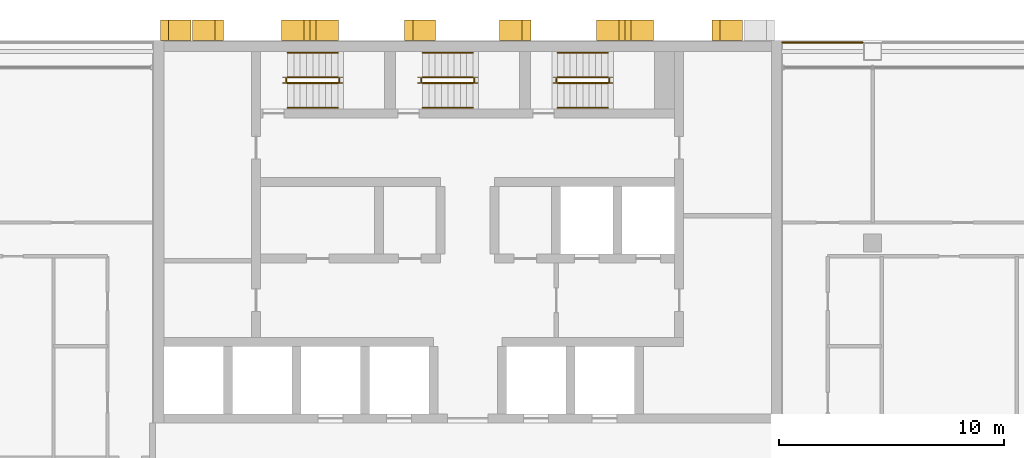
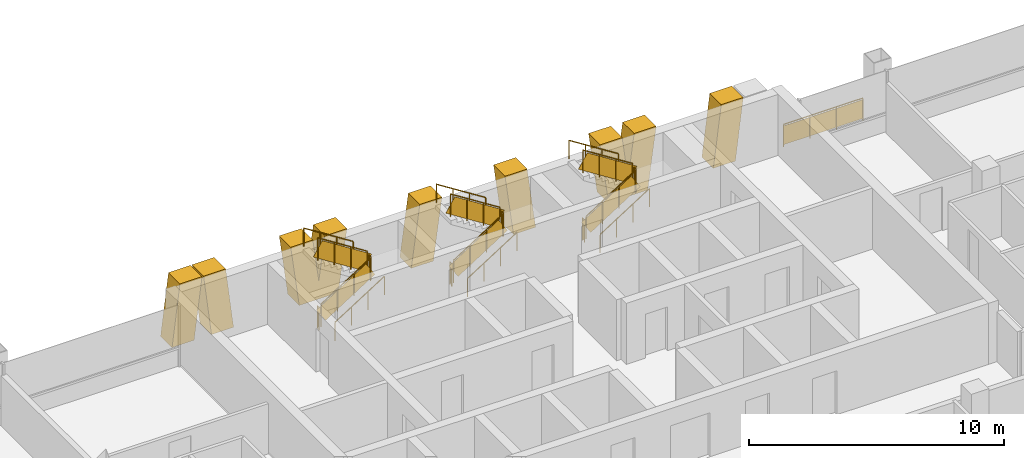
# One storey, part 17 of 18: 19 railings, 7 shading devices.
"""IFC4 building model written with IfcOpenShell, lengths in metres."""

from ifc_helpers import new_model, si_unit, direction, frame, origin, origin_2d, place, context, subcontext, project, spatial, polyline, rectangle, circle, outline, extrude, material, layer, layer_set, type_object, element, save


model = new_model("IFC4")

# Units and contexts
model_context = context("Model", 3, precision=1e-05, world=origin(), true_north=direction((0.0, 1.0)))
body_context = subcontext(model_context, "Body", "Model", "MODEL_VIEW")
ifc_project = project(units=[si_unit("LENGTHUNIT", "METRE"), si_unit("AREAUNIT", "SQUARE_METRE"), si_unit("VOLUMEUNIT", "CUBIC_METRE"), si_unit("PLANEANGLEUNIT", "RADIAN"), si_unit("MASSUNIT", "GRAM", prefix="KILO")], contexts=[model_context])

# Site, building, storey
site_placement = place(None, origin())
site = spatial("IfcSite", under=ifc_project, at=site_placement, CompositionType="ELEMENT")
building_placement = place(site_placement, origin())
building = spatial("IfcBuilding", under=site, at=building_placement, Name="Vidyagriha Tower", CompositionType="ELEMENT")
storey_placement = place(building_placement, frame((0.0, 0.0, 123.0)))
storey = spatial("IfcBuildingStorey", under=building, at=storey_placement, Name="L31", CompositionType="ELEMENT", Elevation=123.0)

# Shading devices
ifc_material_1 = material(Name="Precast concrete C40/50 with brick facing", Category="concrete")
ifc_layer_1 = layer(ifc_material_1, 1.0)
ifc_layer_set_1 = layer_set([ifc_layer_1], Name="Precast concrete C40/50 with brick facing")
shading_device_type_1 = type_object("IfcShadingDeviceType", Name="Brick-faced rear rib arm leaning 8 degrees", PredefinedType="USERDEFINED", material=ifc_layer_set_1)
shading_device_1_placement = place(storey_placement, frame((12.21435546875, 20.449951171875, 0.0), z_axis=(0.0, 0.0, 1.0), x_axis=(-1.0, 0.0, 0.0)))
element("IfcShadingDevice", 1, at=shading_device_1_placement, inside=storey, type_object=shading_device_type_1, Name="Rear rib arm L31 R08.1b", ObjectType="BLADE FIN", PredefinedType="USERDEFINED", context=body_context, shape_type="SweptSolid", body=[
    extrude(outline(polyline([(0.357177734375, 0.0), (1.357177734375, 0.0), (1.0, 2.919921875), (0.0, 2.919921875), (0.357177734375, 0.0)])), frame((0.0, 0.449951171875, 0.0), z_axis=(0.0, -1.0, 0.0), x_axis=(1.0, 0.0, 0.0)), (0.0, 0.0, 1.0), 0.89990234375),
])
shading_device_2_placement = place(storey_placement, frame((2.814208984375, 20.449951171875, 0.0), z_axis=(0.0, 0.0, 1.0), x_axis=(-1.0, 0.0, 0.0)))
element("IfcShadingDevice", 2, at=shading_device_2_placement, inside=storey, type_object=shading_device_type_1, Name="Rear rib arm L31 R08.3a", ObjectType="BLADE FIN", PredefinedType="USERDEFINED", context=body_context, shape_type="SweptSolid", body=[
    extrude(outline(polyline([(0.0, 0.0), (1.0, 0.0), (1.3857421875, 2.919921875), (0.3857421875, 2.919921875), (0.0, 0.0)])), frame((0.0, 0.449951171875, 0.0), z_axis=(0.0, -1.0, 0.0), x_axis=(1.0, 0.0, 0.0)), (0.0, 0.0, 1.0), 0.89990234375),
])
shading_device_3_placement = place(storey_placement, frame((-1.4287109375, 20.449951171875, 0.0), z_axis=(0.0, 0.0, 1.0), x_axis=(-1.0, 0.0, 0.0)))
element("IfcShadingDevice", 3, at=shading_device_3_placement, inside=storey, type_object=shading_device_type_1, Name="Rear rib arm L31 R08.3b", ObjectType="BLADE FIN", PredefinedType="USERDEFINED", context=body_context, shape_type="SweptSolid", body=[
    extrude(outline(polyline([(0.3857421875, 0.0), (1.3857421875, 0.0), (1.0, 2.919921875), (0.0, 2.919921875), (0.3857421875, 0.0)])), frame((0.0, 0.449951171875, 0.0), z_axis=(0.0, -1.0, 0.0), x_axis=(1.0, 0.0, 0.0)), (0.0, 0.0, 1.0), 0.89990234375),
])
shading_device_4_placement = place(storey_placement, frame((-10.857177734375, 20.449951171875, 0.0), z_axis=(0.0, 0.0, 1.0), x_axis=(-1.0, 0.0, 0.0)))
element("IfcShadingDevice", 4, at=shading_device_4_placement, inside=storey, type_object=shading_device_type_1, Name="Rear rib arm L31 R08.5a", ObjectType="BLADE FIN", PredefinedType="USERDEFINED", context=body_context, shape_type="SweptSolid", body=[
    extrude(outline(polyline([(0.0, 0.0), (1.0, 0.0), (1.357177734375, 2.919921875), (0.357177734375, 2.919921875), (0.0, 0.0)])), frame((0.0, 0.449951171875, 0.0), z_axis=(0.0, -1.0, 0.0), x_axis=(1.0, 0.0, 0.0)), (0.0, 0.0, 1.0), 0.89990234375),
])
shading_device_5_placement = place(storey_placement, frame((-12.28564453125, 20.449951171875, 0.0), z_axis=(0.0, 0.0, 1.0), x_axis=(-1.0, 0.0, 0.0)))
element("IfcShadingDevice", 5, at=shading_device_5_placement, inside=storey, type_object=shading_device_type_1, Name="Rear rib arm L31 R08.5b", ObjectType="BLADE FIN", PredefinedType="USERDEFINED", context=body_context, shape_type="SweptSolid", body=[
    extrude(outline(polyline([(0.357177734375, 0.0), (1.357177734375, 0.0), (1.0, 2.919921875), (0.0, 2.919921875), (0.357177734375, 0.0)])), frame((0.0, 0.449951171875, 0.0), z_axis=(0.0, -1.0, 0.0), x_axis=(1.0, 0.0, 0.0)), (0.0, 0.0, 1.0), 0.89990234375),
])
ifc_material_2 = material(Name="Precast concrete C40/50 with brick facing", Category="concrete")
ifc_layer_2 = layer(ifc_material_2, 1.0)
ifc_layer_set_2 = layer_set([ifc_layer_2], Name="Precast concrete C40/50 with brick facing")
shading_device_type_2 = type_object("IfcShadingDeviceType", Name="Brick-faced rear rib forking 8 degrees", PredefinedType="USERDEFINED", material=ifc_layer_set_2)
for number, where, z_axis, x_axis, name in (
    (6, (8.271484375, 20.449951171875, 0.0), (0.0, 0.0, 1.0), (-1.0, 0.0, 0.0), "Rear rib fork L31 R08.2a"),
    (7, (-5.728515625, 20.449951171875, 0.0), (0.0, 0.0, 1.0), (-1.0, 0.0, 0.0), "Rear rib fork L31 R08.4a"),
):
    element("IfcShadingDevice", number, at=place(storey_placement, frame(where, z_axis=z_axis, x_axis=x_axis)), inside=storey, type_object=shading_device_type_2, Name=name, ObjectType="BLADE FIN", PredefinedType="USERDEFINED", context=body_context, shape_type="SweptSolid", body=[
        extrude(outline(polyline([(0.3857421875, 0.0), (2.156982421875, 0.0), (2.542724609375, 2.919921875), (1.542724609375, 2.919921875), (1.271484375, 0.865234375), (1.0, 2.919921875), (0.0, 2.919921875), (0.3857421875, 0.0)])), frame((0.0, 0.449951171875, 0.0), z_axis=(0.0, -1.0, 0.0), x_axis=(1.0, 0.0, 0.0)), (0.0, 0.0, 1.0), 0.89990234375),
    ])

# Railings
ifc_material_3 = material(Name="Steel ASTM A500 Grade C black painted", Category="steel")
railing_type_1 = type_object("IfcRailingType", Name="Gallery guard 1100", PredefinedType="GUARDRAIL", material=ifc_material_3)
railing_1_placement = place(storey_placement, frame((13.97998046875, 19.89990234375, 0.0)))
element("IfcRailing", 8, at=railing_1_placement, inside=storey, type_object=railing_type_1, Name="Gallery guard L31 9", PredefinedType="GUARDRAIL", context=body_context, shape_type="SweptSolid", body=[
    extrude(circle(Radius=0.02490234375, at=origin_2d()), frame((0.0, 0.0, 1.0751953125), z_axis=(1.0, 0.0, 0.0), x_axis=(0.0, 1.0, 0.0)), (0.0, 0.0, 1.0), 3.590087890625),
    extrude(circle(Radius=0.02001953125, at=origin_2d()), origin(), (0.0, 0.0, 1.0), 1.050048828125),
    extrude(circle(Radius=0.02001953125, at=origin_2d()), frame((1.19677734375, 0.0, 0.0)), (0.0, 0.0, 1.0), 1.050048828125),
    extrude(circle(Radius=0.02001953125, at=origin_2d()), frame((2.393310546875, 0.0, 0.0)), (0.0, 0.0, 1.0), 1.050048828125),
    extrude(circle(Radius=0.02001953125, at=origin_2d()), frame((3.590087890625, 0.0, 0.0)), (0.0, 0.0, 1.0), 1.050048828125),
    extrude(rectangle(XDim=0.010009765625, YDim=0.900146484375, at=origin_2d()), frame((0.0, 0.0, 0.550048828125), z_axis=(1.0, 0.0, 0.0), x_axis=(0.0, 1.0, 0.0)), (0.0, 0.0, 1.0), 3.590087890625),
])
ifc_material_4 = material(Name="Steel ASTM A500 Grade C", Category="steel")
railing_type_2 = type_object("IfcRailingType", Name="Stair guard 1100 mm, steel balustrade", PredefinedType="GUARDRAIL", material=ifc_material_4)
railing_2_placement = place(storey_placement, frame((-8.0, 18.10009765625, 0.177734375)))
element("IfcRailing", 9, at=railing_2_placement, inside=storey, type_object=railing_type_2, Name="L31 ST1 stair guard 1", PredefinedType="GUARDRAIL", context=body_context, shape_type="SweptSolid", body=[
    extrude(circle(Radius=0.02392578125, at=origin_2d()), frame((0.0, 0.0, 1.076171875), z_axis=(0.84418770128, 0.0, 0.536047689118), x_axis=(0.0, 1.0, 0.0)), (0.0, 0.0, 1.0), 2.6533203125),
    extrude(circle(Radius=0.02099609375, at=origin_2d()), origin(), (0.0, 0.0, 1.0), 1.052001953125),
    extrude(circle(Radius=0.02099609375, at=origin_2d()), frame((0.74658203125, 0.0, 0.47412109375)), (0.0, 0.0, 1.0), 1.052001953125),
    extrude(circle(Radius=0.02099609375, at=origin_2d()), frame((1.493408203125, 0.0, 0.9482421875)), (0.0, 0.0, 1.0), 1.052001953125),
    extrude(circle(Radius=0.02099609375, at=origin_2d()), frame((2.239990234375, 0.0, 1.42236328125)), (0.0, 0.0, 1.0), 1.052001953125),
    extrude(rectangle(XDim=0.010009765625, YDim=0.761474609375, at=origin_2d()), frame((0.0, 0.0, 0.551025390625), z_axis=(0.84418770128, 0.0, 0.536047689118), x_axis=(0.0, 1.0, 0.0)), (0.0, 0.0, 1.0), 2.6533203125),
])
railing_3_placement = place(storey_placement, frame((-5.7099609375, 18.14990234375, 1.60009765625)))
element("IfcRailing", 10, at=railing_3_placement, inside=storey, type_object=railing_type_2, Name="L31 ST1 stair guard 2", PredefinedType="GUARDRAIL", context=body_context, shape_type="SweptSolid", body=[
    extrude(circle(Radius=0.02392578125, at=origin_2d()), frame((0.0, 0.0, 1.076171875), z_axis=(0.0, 1.0, 0.0), x_axis=(-1.0, 0.0, 0.0)), (0.0, 0.0, 1.0), 0.150146484375),
    extrude(circle(Radius=0.02099609375, at=origin_2d()), origin(), (0.0, 0.0, 1.0), 1.052001953125),
    extrude(circle(Radius=0.02099609375, at=origin_2d()), frame((0.0, 0.150146484375, 0.0)), (0.0, 0.0, 1.0), 1.052001953125),
    extrude(rectangle(XDim=0.010009765625, YDim=0.902099609375, at=origin_2d()), frame((0.0, 0.0, 0.551025390625), z_axis=(0.0, 1.0, 0.0), x_axis=(-1.0, 0.0, 0.0)), (0.0, 0.0, 1.0), 0.150146484375),
])
railing_4_placement = place(storey_placement, frame((-5.760009765625, 18.35009765625, 1.77783203125)))
element("IfcRailing", 11, at=railing_4_placement, inside=storey, type_object=railing_type_2, Name="L31 ST1 stair guard 3", PredefinedType="GUARDRAIL", context=body_context, shape_type="SweptSolid", body=[
    extrude(circle(Radius=0.02392578125, at=origin_2d()), frame((0.0, 0.0, 1.076171875), z_axis=(-0.8442293374, 0.0, 0.53598211339), x_axis=(0.0, -1.0, 0.0)), (0.0, 0.0, 1.0), 2.6533203125),
    extrude(circle(Radius=0.02099609375, at=origin_2d()), origin(), (0.0, 0.0, 1.0), 1.052001953125),
    extrude(circle(Radius=0.02099609375, at=origin_2d()), frame((-0.74658203125, 0.0, 0.47412109375)), (0.0, 0.0, 1.0), 1.052001953125),
    extrude(circle(Radius=0.02099609375, at=origin_2d()), frame((-1.493408203125, 0.0, 0.947998046875)), (0.0, 0.0, 1.0), 1.052001953125),
    extrude(circle(Radius=0.02099609375, at=origin_2d()), frame((-2.239990234375, 0.0, 1.422119140625)), (0.0, 0.0, 1.0), 1.052001953125),
    extrude(rectangle(XDim=0.010009765625, YDim=0.761474609375, at=origin_2d()), frame((0.0, 0.0, 0.551025390625), z_axis=(-0.8442293374, 0.0, 0.53598211339), x_axis=(0.0, -1.0, 0.0)), (0.0, 0.0, 1.0), 2.6533203125),
])
railing_5_placement = place(storey_placement, frame((-8.050048828125, 18.14990234375, 0.0)))
element("IfcRailing", 12, at=railing_5_placement, inside=storey, type_object=railing_type_2, Name="L31 ST1 stair guard 4", PredefinedType="GUARDRAIL", context=body_context, shape_type="SweptSolid", body=[
    extrude(circle(Radius=0.02392578125, at=origin_2d()), frame((0.0, 0.0, 1.076171875), z_axis=(0.0, 1.0, 0.0), x_axis=(-1.0, 0.0, 0.0)), (0.0, 0.0, 1.0), 0.150146484375),
    extrude(circle(Radius=0.02099609375, at=origin_2d()), origin(), (0.0, 0.0, 1.0), 1.052001953125),
    extrude(circle(Radius=0.02099609375, at=origin_2d()), frame((0.0, 0.150146484375, 0.0)), (0.0, 0.0, 1.0), 1.052001953125),
    extrude(rectangle(XDim=0.010009765625, YDim=0.902099609375, at=origin_2d()), frame((0.0, 0.0, 0.551025390625), z_axis=(0.0, 1.0, 0.0), x_axis=(-1.0, 0.0, 0.0)), (0.0, 0.0, 1.0), 0.150146484375),
])
railing_6_placement = place(storey_placement, frame((-2.0, 18.10009765625, 0.177734375)))
element("IfcRailing", 13, at=railing_6_placement, inside=storey, type_object=railing_type_2, Name="L31 ST2 stair guard 1", PredefinedType="GUARDRAIL", context=body_context, shape_type="SweptSolid", body=[
    extrude(circle(Radius=0.02392578125, at=origin_2d()), frame((0.0, 0.0, 1.076171875), z_axis=(0.84418770128, 0.0, 0.536047689118), x_axis=(0.0, 1.0, 0.0)), (0.0, 0.0, 1.0), 2.6533203125),
    extrude(circle(Radius=0.02099609375, at=origin_2d()), origin(), (0.0, 0.0, 1.0), 1.052001953125),
    extrude(circle(Radius=0.02099609375, at=origin_2d()), frame((0.74658203125, 0.0, 0.47412109375)), (0.0, 0.0, 1.0), 1.052001953125),
    extrude(circle(Radius=0.02099609375, at=origin_2d()), frame((1.493408203125, 0.0, 0.9482421875)), (0.0, 0.0, 1.0), 1.052001953125),
    extrude(circle(Radius=0.02099609375, at=origin_2d()), frame((2.239990234375, 0.0, 1.42236328125)), (0.0, 0.0, 1.0), 1.052001953125),
    extrude(rectangle(XDim=0.010009765625, YDim=0.761474609375, at=origin_2d()), frame((0.0, 0.0, 0.551025390625), z_axis=(0.84418770128, 0.0, 0.536047689118), x_axis=(0.0, 1.0, 0.0)), (0.0, 0.0, 1.0), 2.6533203125),
])
railing_7_placement = place(storey_placement, frame((0.2900390625, 18.14990234375, 1.60009765625)))
element("IfcRailing", 14, at=railing_7_placement, inside=storey, type_object=railing_type_2, Name="L31 ST2 stair guard 2", PredefinedType="GUARDRAIL", context=body_context, shape_type="SweptSolid", body=[
    extrude(circle(Radius=0.02392578125, at=origin_2d()), frame((0.0, 0.0, 1.076171875), z_axis=(0.0, 1.0, 0.0), x_axis=(-1.0, 0.0, 0.0)), (0.0, 0.0, 1.0), 0.150146484375),
    extrude(circle(Radius=0.02099609375, at=origin_2d()), origin(), (0.0, 0.0, 1.0), 1.052001953125),
    extrude(circle(Radius=0.02099609375, at=origin_2d()), frame((0.0, 0.150146484375, 0.0)), (0.0, 0.0, 1.0), 1.052001953125),
    extrude(rectangle(XDim=0.010009765625, YDim=0.902099609375, at=origin_2d()), frame((0.0, 0.0, 0.551025390625), z_axis=(0.0, 1.0, 0.0), x_axis=(-1.0, 0.0, 0.0)), (0.0, 0.0, 1.0), 0.150146484375),
])
railing_8_placement = place(storey_placement, frame((0.239990234375, 18.35009765625, 1.77783203125)))
element("IfcRailing", 15, at=railing_8_placement, inside=storey, type_object=railing_type_2, Name="L31 ST2 stair guard 3", PredefinedType="GUARDRAIL", context=body_context, shape_type="SweptSolid", body=[
    extrude(circle(Radius=0.02392578125, at=origin_2d()), frame((0.0, 0.0, 1.076171875), z_axis=(-0.8442293374, 0.0, 0.53598211339), x_axis=(0.0, -1.0, 0.0)), (0.0, 0.0, 1.0), 2.6533203125),
    extrude(circle(Radius=0.02099609375, at=origin_2d()), origin(), (0.0, 0.0, 1.0), 1.052001953125),
    extrude(circle(Radius=0.02099609375, at=origin_2d()), frame((-0.74658203125, 0.0, 0.47412109375)), (0.0, 0.0, 1.0), 1.052001953125),
    extrude(circle(Radius=0.02099609375, at=origin_2d()), frame((-1.493408203125, 0.0, 0.947998046875)), (0.0, 0.0, 1.0), 1.052001953125),
    extrude(circle(Radius=0.02099609375, at=origin_2d()), frame((-2.239990234375, 0.0, 1.422119140625)), (0.0, 0.0, 1.0), 1.052001953125),
    extrude(rectangle(XDim=0.010009765625, YDim=0.761474609375, at=origin_2d()), frame((0.0, 0.0, 0.551025390625), z_axis=(-0.8442293374, 0.0, 0.53598211339), x_axis=(0.0, -1.0, 0.0)), (0.0, 0.0, 1.0), 2.6533203125),
])
railing_9_placement = place(storey_placement, frame((-2.050048828125, 18.14990234375, 0.0)))
element("IfcRailing", 16, at=railing_9_placement, inside=storey, type_object=railing_type_2, Name="L31 ST2 stair guard 4", PredefinedType="GUARDRAIL", context=body_context, shape_type="SweptSolid", body=[
    extrude(circle(Radius=0.02392578125, at=origin_2d()), frame((0.0, 0.0, 1.076171875), z_axis=(0.0, 1.0, 0.0), x_axis=(-1.0, 0.0, 0.0)), (0.0, 0.0, 1.0), 0.150146484375),
    extrude(circle(Radius=0.02099609375, at=origin_2d()), origin(), (0.0, 0.0, 1.0), 1.052001953125),
    extrude(circle(Radius=0.02099609375, at=origin_2d()), frame((0.0, 0.150146484375, 0.0)), (0.0, 0.0, 1.0), 1.052001953125),
    extrude(rectangle(XDim=0.010009765625, YDim=0.902099609375, at=origin_2d()), frame((0.0, 0.0, 0.551025390625), z_axis=(0.0, 1.0, 0.0), x_axis=(-1.0, 0.0, 0.0)), (0.0, 0.0, 1.0), 0.150146484375),
])
railing_10_placement = place(storey_placement, frame((4.0, 18.10009765625, 0.177734375)))
element("IfcRailing", 17, at=railing_10_placement, inside=storey, type_object=railing_type_2, Name="L31 ST3 stair guard 1", PredefinedType="GUARDRAIL", context=body_context, shape_type="SweptSolid", body=[
    extrude(circle(Radius=0.02392578125, at=origin_2d()), frame((0.0, 0.0, 1.076171875), z_axis=(0.84418770128, 0.0, 0.536047689118), x_axis=(0.0, 1.0, 0.0)), (0.0, 0.0, 1.0), 2.6533203125),
    extrude(circle(Radius=0.02099609375, at=origin_2d()), origin(), (0.0, 0.0, 1.0), 1.052001953125),
    extrude(circle(Radius=0.02099609375, at=origin_2d()), frame((0.74658203125, 0.0, 0.47412109375)), (0.0, 0.0, 1.0), 1.052001953125),
    extrude(circle(Radius=0.02099609375, at=origin_2d()), frame((1.493408203125, 0.0, 0.9482421875)), (0.0, 0.0, 1.0), 1.052001953125),
    extrude(circle(Radius=0.02099609375, at=origin_2d()), frame((2.239990234375, 0.0, 1.42236328125)), (0.0, 0.0, 1.0), 1.052001953125),
    extrude(rectangle(XDim=0.010009765625, YDim=0.761474609375, at=origin_2d()), frame((0.0, 0.0, 0.551025390625), z_axis=(0.84418770128, 0.0, 0.536047689118), x_axis=(0.0, 1.0, 0.0)), (0.0, 0.0, 1.0), 2.6533203125),
])
railing_11_placement = place(storey_placement, frame((6.2900390625, 18.14990234375, 1.60009765625)))
element("IfcRailing", 18, at=railing_11_placement, inside=storey, type_object=railing_type_2, Name="L31 ST3 stair guard 2", PredefinedType="GUARDRAIL", context=body_context, shape_type="SweptSolid", body=[
    extrude(circle(Radius=0.02392578125, at=origin_2d()), frame((0.0, 0.0, 1.076171875), z_axis=(0.0, 1.0, 0.0), x_axis=(-1.0, 0.0, 0.0)), (0.0, 0.0, 1.0), 0.150146484375),
    extrude(circle(Radius=0.02099609375, at=origin_2d()), origin(), (0.0, 0.0, 1.0), 1.052001953125),
    extrude(circle(Radius=0.02099609375, at=origin_2d()), frame((0.0, 0.150146484375, 0.0)), (0.0, 0.0, 1.0), 1.052001953125),
    extrude(rectangle(XDim=0.010009765625, YDim=0.902099609375, at=origin_2d()), frame((0.0, 0.0, 0.551025390625), z_axis=(0.0, 1.0, 0.0), x_axis=(-1.0, 0.0, 0.0)), (0.0, 0.0, 1.0), 0.150146484375),
])
railing_12_placement = place(storey_placement, frame((6.239990234375, 18.35009765625, 1.77783203125)))
element("IfcRailing", 19, at=railing_12_placement, inside=storey, type_object=railing_type_2, Name="L31 ST3 stair guard 3", PredefinedType="GUARDRAIL", context=body_context, shape_type="SweptSolid", body=[
    extrude(circle(Radius=0.02392578125, at=origin_2d()), frame((0.0, 0.0, 1.076171875), z_axis=(-0.8442293374, 0.0, 0.53598211339), x_axis=(0.0, -1.0, 0.0)), (0.0, 0.0, 1.0), 2.6533203125),
    extrude(circle(Radius=0.02099609375, at=origin_2d()), origin(), (0.0, 0.0, 1.0), 1.052001953125),
    extrude(circle(Radius=0.02099609375, at=origin_2d()), frame((-0.74658203125, 0.0, 0.47412109375)), (0.0, 0.0, 1.0), 1.052001953125),
    extrude(circle(Radius=0.02099609375, at=origin_2d()), frame((-1.493408203125, 0.0, 0.947998046875)), (0.0, 0.0, 1.0), 1.052001953125),
    extrude(circle(Radius=0.02099609375, at=origin_2d()), frame((-2.239990234375, 0.0, 1.422119140625)), (0.0, 0.0, 1.0), 1.052001953125),
    extrude(rectangle(XDim=0.010009765625, YDim=0.761474609375, at=origin_2d()), frame((0.0, 0.0, 0.551025390625), z_axis=(-0.8442293374, 0.0, 0.53598211339), x_axis=(0.0, -1.0, 0.0)), (0.0, 0.0, 1.0), 2.6533203125),
])
railing_13_placement = place(storey_placement, frame((3.949951171875, 18.14990234375, 0.0)))
element("IfcRailing", 20, at=railing_13_placement, inside=storey, type_object=railing_type_2, Name="L31 ST3 stair guard 4", PredefinedType="GUARDRAIL", context=body_context, shape_type="SweptSolid", body=[
    extrude(circle(Radius=0.02392578125, at=origin_2d()), frame((0.0, 0.0, 1.076171875), z_axis=(0.0, 1.0, 0.0), x_axis=(-1.0, 0.0, 0.0)), (0.0, 0.0, 1.0), 0.150146484375),
    extrude(circle(Radius=0.02099609375, at=origin_2d()), origin(), (0.0, 0.0, 1.0), 1.052001953125),
    extrude(circle(Radius=0.02099609375, at=origin_2d()), frame((0.0, 0.150146484375, 0.0)), (0.0, 0.0, 1.0), 1.052001953125),
    extrude(rectangle(XDim=0.010009765625, YDim=0.902099609375, at=origin_2d()), frame((0.0, 0.0, 0.551025390625), z_axis=(0.0, 1.0, 0.0), x_axis=(-1.0, 0.0, 0.0)), (0.0, 0.0, 1.0), 0.150146484375),
])
ifc_material_5 = material(Name="Steel ASTM A500 Grade C", Category="steel")
railing_type_3 = type_object("IfcRailingType", Name="Stair handrail 900 mm, steel", PredefinedType="HANDRAIL", material=ifc_material_5)
railing_14_placement = place(storey_placement, frame((-8.0, 17.0, 0.177734375)))
element("IfcRailing", 21, at=railing_14_placement, inside=storey, type_object=railing_type_3, Name="L31 ST1 stair handrail 1", PredefinedType="HANDRAIL", context=body_context, shape_type="SweptSolid", body=[
    extrude(circle(Radius=0.02392578125, at=origin_2d()), frame((0.0, 0.0, 0.8759765625), z_axis=(0.84418770128, 0.0, 0.536047689118), x_axis=(0.0, 1.0, 0.0)), (0.0, 0.0, 1.0), 2.6533203125),
    extrude(circle(Radius=0.02099609375, at=origin_2d()), origin(), (0.0, 0.0, 1.0), 0.851806640625),
    extrude(circle(Radius=0.02099609375, at=origin_2d()), frame((0.74658203125, 0.0, 0.47412109375)), (0.0, 0.0, 1.0), 0.851806640625),
    extrude(circle(Radius=0.02099609375, at=origin_2d()), frame((1.493408203125, 0.0, 0.9482421875)), (0.0, 0.0, 1.0), 0.851806640625),
    extrude(circle(Radius=0.02099609375, at=origin_2d()), frame((2.239990234375, 0.0, 1.42236328125)), (0.0, 0.0, 1.0), 0.851806640625),
])
railing_15_placement = place(storey_placement, frame((-5.760009765625, 19.449951171875, 1.77783203125)))
element("IfcRailing", 22, at=railing_15_placement, inside=storey, type_object=railing_type_3, Name="L31 ST1 stair handrail 2", PredefinedType="HANDRAIL", context=body_context, shape_type="SweptSolid", body=[
    extrude(circle(Radius=0.02392578125, at=origin_2d()), frame((0.0, 0.0, 0.8759765625), z_axis=(-0.8442293374, 0.0, 0.53598211339), x_axis=(0.0, -1.0, 0.0)), (0.0, 0.0, 1.0), 2.6533203125),
    extrude(circle(Radius=0.02099609375, at=origin_2d()), origin(), (0.0, 0.0, 1.0), 0.851806640625),
    extrude(circle(Radius=0.02099609375, at=origin_2d()), frame((-0.74658203125, 0.0, 0.47412109375)), (0.0, 0.0, 1.0), 0.851806640625),
    extrude(circle(Radius=0.02099609375, at=origin_2d()), frame((-1.493408203125, 0.0, 0.947998046875)), (0.0, 0.0, 1.0), 0.851806640625),
    extrude(circle(Radius=0.02099609375, at=origin_2d()), frame((-2.239990234375, 0.0, 1.422119140625)), (0.0, 0.0, 1.0), 0.851806640625),
])
railing_16_placement = place(storey_placement, frame((-2.0, 17.0, 0.177734375)))
element("IfcRailing", 23, at=railing_16_placement, inside=storey, type_object=railing_type_3, Name="L31 ST2 stair handrail 1", PredefinedType="HANDRAIL", context=body_context, shape_type="SweptSolid", body=[
    extrude(circle(Radius=0.02392578125, at=origin_2d()), frame((0.0, 0.0, 0.8759765625), z_axis=(0.84418770128, 0.0, 0.536047689118), x_axis=(0.0, 1.0, 0.0)), (0.0, 0.0, 1.0), 2.6533203125),
    extrude(circle(Radius=0.02099609375, at=origin_2d()), origin(), (0.0, 0.0, 1.0), 0.851806640625),
    extrude(circle(Radius=0.02099609375, at=origin_2d()), frame((0.74658203125, 0.0, 0.47412109375)), (0.0, 0.0, 1.0), 0.851806640625),
    extrude(circle(Radius=0.02099609375, at=origin_2d()), frame((1.493408203125, 0.0, 0.9482421875)), (0.0, 0.0, 1.0), 0.851806640625),
    extrude(circle(Radius=0.02099609375, at=origin_2d()), frame((2.239990234375, 0.0, 1.42236328125)), (0.0, 0.0, 1.0), 0.851806640625),
])
railing_17_placement = place(storey_placement, frame((0.239990234375, 19.449951171875, 1.77783203125)))
element("IfcRailing", 24, at=railing_17_placement, inside=storey, type_object=railing_type_3, Name="L31 ST2 stair handrail 2", PredefinedType="HANDRAIL", context=body_context, shape_type="SweptSolid", body=[
    extrude(circle(Radius=0.02392578125, at=origin_2d()), frame((0.0, 0.0, 0.8759765625), z_axis=(-0.8442293374, 0.0, 0.53598211339), x_axis=(0.0, -1.0, 0.0)), (0.0, 0.0, 1.0), 2.6533203125),
    extrude(circle(Radius=0.02099609375, at=origin_2d()), origin(), (0.0, 0.0, 1.0), 0.851806640625),
    extrude(circle(Radius=0.02099609375, at=origin_2d()), frame((-0.74658203125, 0.0, 0.47412109375)), (0.0, 0.0, 1.0), 0.851806640625),
    extrude(circle(Radius=0.02099609375, at=origin_2d()), frame((-1.493408203125, 0.0, 0.947998046875)), (0.0, 0.0, 1.0), 0.851806640625),
    extrude(circle(Radius=0.02099609375, at=origin_2d()), frame((-2.239990234375, 0.0, 1.422119140625)), (0.0, 0.0, 1.0), 0.851806640625),
])
railing_18_placement = place(storey_placement, frame((4.0, 17.0, 0.177734375)))
element("IfcRailing", 25, at=railing_18_placement, inside=storey, type_object=railing_type_3, Name="L31 ST3 stair handrail 1", PredefinedType="HANDRAIL", context=body_context, shape_type="SweptSolid", body=[
    extrude(circle(Radius=0.02392578125, at=origin_2d()), frame((0.0, 0.0, 0.8759765625), z_axis=(0.84418770128, 0.0, 0.536047689118), x_axis=(0.0, 1.0, 0.0)), (0.0, 0.0, 1.0), 2.6533203125),
    extrude(circle(Radius=0.02099609375, at=origin_2d()), origin(), (0.0, 0.0, 1.0), 0.851806640625),
    extrude(circle(Radius=0.02099609375, at=origin_2d()), frame((0.74658203125, 0.0, 0.47412109375)), (0.0, 0.0, 1.0), 0.851806640625),
    extrude(circle(Radius=0.02099609375, at=origin_2d()), frame((1.493408203125, 0.0, 0.9482421875)), (0.0, 0.0, 1.0), 0.851806640625),
    extrude(circle(Radius=0.02099609375, at=origin_2d()), frame((2.239990234375, 0.0, 1.42236328125)), (0.0, 0.0, 1.0), 0.851806640625),
])
railing_19_placement = place(storey_placement, frame((6.239990234375, 19.449951171875, 1.77783203125)))
element("IfcRailing", 26, at=railing_19_placement, inside=storey, type_object=railing_type_3, Name="L31 ST3 stair handrail 2", PredefinedType="HANDRAIL", context=body_context, shape_type="SweptSolid", body=[
    extrude(circle(Radius=0.02392578125, at=origin_2d()), frame((0.0, 0.0, 0.8759765625), z_axis=(-0.8442293374, 0.0, 0.53598211339), x_axis=(0.0, -1.0, 0.0)), (0.0, 0.0, 1.0), 2.6533203125),
    extrude(circle(Radius=0.02099609375, at=origin_2d()), origin(), (0.0, 0.0, 1.0), 0.851806640625),
    extrude(circle(Radius=0.02099609375, at=origin_2d()), frame((-0.74658203125, 0.0, 0.47412109375)), (0.0, 0.0, 1.0), 0.851806640625),
    extrude(circle(Radius=0.02099609375, at=origin_2d()), frame((-1.493408203125, 0.0, 0.947998046875)), (0.0, 0.0, 1.0), 0.851806640625),
    extrude(circle(Radius=0.02099609375, at=origin_2d()), frame((-2.239990234375, 0.0, 1.422119140625)), (0.0, 0.0, 1.0), 0.851806640625),
])

save(model, "model.ifc")
